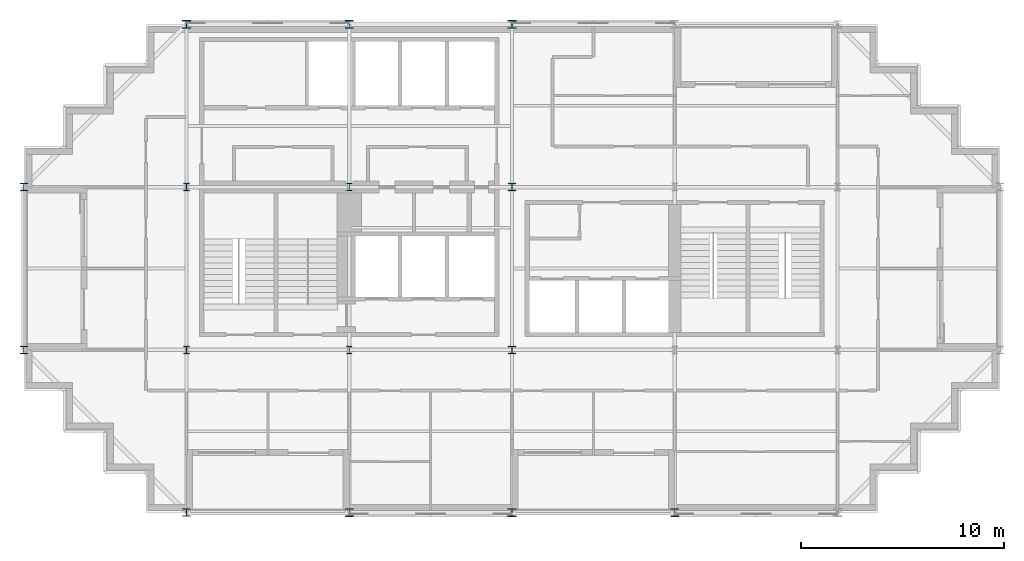
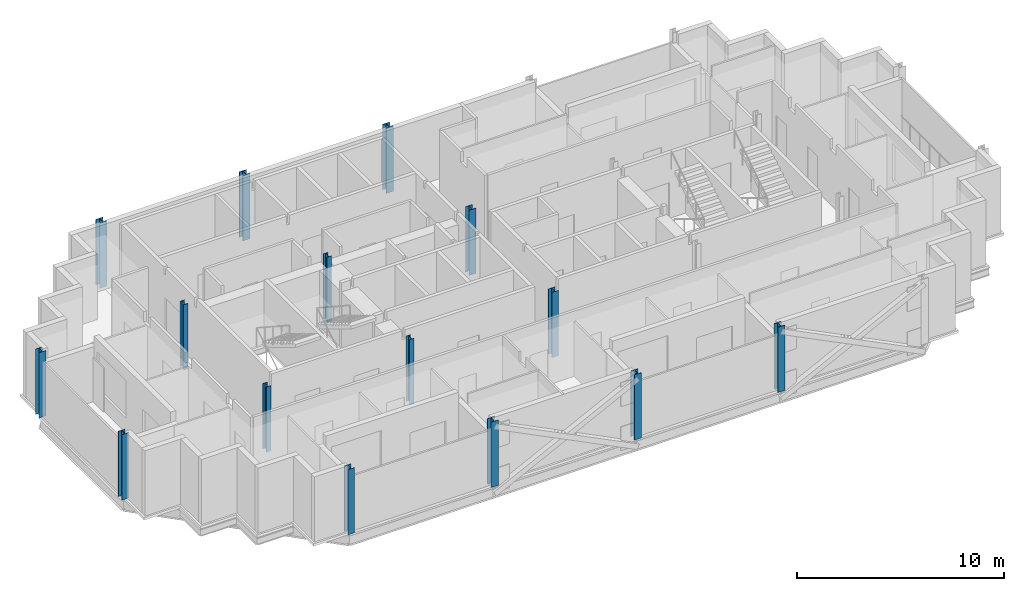
# One storey, part 1 of 9: 15 columns.
"""IFC4 building model written with IfcOpenShell, lengths in metres."""

from ifc_helpers import new_model, si_unit, direction, frame, origin, origin_2d, place, context, subcontext, project, spatial, i_section, extrude, material, material_profile, profile_set, type_object, element, save


model = new_model("IFC4")

# Units and contexts
model_context = context("Model", 3, precision=1e-05, world=origin(), true_north=direction((0.0, 1.0)))
body_context = subcontext(model_context, "Body", "Model", "MODEL_VIEW")
ifc_project = project(units=[si_unit("LENGTHUNIT", "METRE"), si_unit("AREAUNIT", "SQUARE_METRE"), si_unit("VOLUMEUNIT", "CUBIC_METRE"), si_unit("PLANEANGLEUNIT", "RADIAN"), si_unit("MASSUNIT", "GRAM", prefix="KILO")], contexts=[model_context])

# Site, building, storey
site_placement = place(None, origin())
site = spatial("IfcSite", under=ifc_project, at=site_placement, CompositionType="ELEMENT")
building_placement = place(site_placement, origin())
building = spatial("IfcBuilding", under=site, at=building_placement, Name="Immortelle Media Tower", CompositionType="ELEMENT")
storey_placement = place(building_placement, frame((0.0, 0.0, 287.0)))
storey = spatial("IfcBuildingStorey", under=building, at=storey_placement, Name="L63", CompositionType="ELEMENT", Elevation=287.0)

# Columns
ifc_material = material(Name="Steel ASTM A992 Gr 50", Category="steel")
ifc_material_profile_1 = material_profile(ifc_material, i_section(OverallWidth=0.373046875, OverallDepth=0.367919921875, WebThickness=0.014892578125, FlangeThickness=0.02392578125, at=origin_2d()), Name="W14x120")
ifc_profile_set_1 = profile_set([ifc_material_profile_1], Name="Steel ASTM A992 Gr 50")
column_type_1 = type_object("IfcColumnType", Name="W14x120 column", PredefinedType="COLUMN", material=ifc_profile_set_1)
for number, where, z_axis, x_axis, name in (
    (1, (0.0, 8.0, 0.0), (0.0, 0.0, 1.0), (1.0, 0.0, 0.0), "Column 1/B"),
    (2, (0.0, 16.0, 0.0), (0.0, 0.0, 1.0), (1.0, 0.0, 0.0), "Column 1/C"),
    (3, (8.0, 0.0, 0.0), (0.0, 0.0, 1.0), (1.0, 0.0, 0.0), "Column 2/A"),
):
    element("IfcColumn", number, at=place(storey_placement, frame(where, z_axis=z_axis, x_axis=x_axis)), inside=storey, type_object=column_type_1, Name=name, PredefinedType="COLUMN", context=body_context, shape_type="SweptSolid", body=[
        extrude(i_section(OverallWidth=0.373046875, OverallDepth=0.367919921875, WebThickness=0.014892578125, FlangeThickness=0.02392578125, at=origin_2d()), origin(), (0.0, 0.0, 1.0), 3.85009765625),
    ])
ifc_material_profile_2 = material_profile(ifc_material, i_section(OverallWidth=0.39892578125, OverallDepth=0.385986328125, WebThickness=0.02099609375, FlangeThickness=0.032958984375, at=origin_2d()), Name="W14x176")
ifc_profile_set_2 = profile_set([ifc_material_profile_2], Name="Steel ASTM A992 Gr 50")
column_type_2 = type_object("IfcColumnType", Name="W14x176 column", PredefinedType="COLUMN", material=ifc_profile_set_2)
for number, where, z_axis, x_axis, name in (
    (4, (8.0, 24.0, 0.0), (0.0, 0.0, 1.0), (1.0, 0.0, 0.0), "Column 2/D"),
    (5, (16.0, 0.0, 0.0), (0.0, 0.0, 1.0), (1.0, 0.0, 0.0), "Column 3/A"),
    (6, (16.0, 24.0, 0.0), (0.0, 0.0, 1.0), (1.0, 0.0, 0.0), "Column 3/D"),
    (7, (24.0, 0.0, 0.0), (0.0, 0.0, 1.0), (1.0, 0.0, 0.0), "Column 4/A"),
    (8, (24.0, 24.0, 0.0), (0.0, 0.0, 1.0), (1.0, 0.0, 0.0), "Column 4/D"),
    (9, (32.0, 0.0, 0.0), (0.0, 0.0, 1.0), (1.0, 0.0, 0.0), "Column 5/A"),
):
    element("IfcColumn", number, at=place(storey_placement, frame(where, z_axis=z_axis, x_axis=x_axis)), inside=storey, type_object=column_type_2, Name=name, PredefinedType="COLUMN", context=body_context, shape_type="SweptSolid", body=[
        extrude(i_section(OverallWidth=0.39892578125, OverallDepth=0.385986328125, WebThickness=0.02099609375, FlangeThickness=0.032958984375, at=origin_2d()), origin(), (0.0, 0.0, 1.0), 3.85009765625),
    ])
ifc_material_profile_3 = material_profile(ifc_material, i_section(OverallWidth=0.257080078125, OverallDepth=0.363037109375, WebThickness=0.012939453125, FlangeThickness=0.02197265625, at=origin_2d()), Name="W14x82")
ifc_profile_set_3 = profile_set([ifc_material_profile_3], Name="Steel ASTM A992 Gr 50")
column_type_3 = type_object("IfcColumnType", Name="W14x82 column", PredefinedType="COLUMN", material=ifc_profile_set_3)
for number, where, z_axis, x_axis, name in (
    (10, (8.0, 8.0, 0.0), (0.0, 0.0, 1.0), (1.0, 0.0, 0.0), "Column 2/B"),
    (11, (8.0, 16.0, 0.0), (0.0, 0.0, 1.0), (1.0, 0.0, 0.0), "Column 2/C"),
    (12, (16.0, 8.0, 0.0), (0.0, 0.0, 1.0), (1.0, 0.0, 0.0), "Column 3/B"),
    (13, (16.0, 16.0, 0.0), (0.0, 0.0, 1.0), (1.0, 0.0, 0.0), "Column 3/C"),
):
    element("IfcColumn", number, at=place(storey_placement, frame(where, z_axis=z_axis, x_axis=x_axis)), inside=storey, type_object=column_type_3, Name=name, PredefinedType="COLUMN", context=body_context, shape_type="SweptSolid", body=[
        extrude(i_section(OverallWidth=0.257080078125, OverallDepth=0.363037109375, WebThickness=0.012939453125, FlangeThickness=0.02197265625, at=origin_2d()), origin(), (0.0, 0.0, 1.0), 3.85009765625),
    ])
ifc_material_profile_4 = material_profile(ifc_material, i_section(OverallWidth=0.37109375, OverallDepth=0.361083984375, WebThickness=0.011962890625, FlangeThickness=0.02001953125, at=origin_2d()), Name="W14x99")
ifc_profile_set_4 = profile_set([ifc_material_profile_4], Name="Steel ASTM A992 Gr 50")
column_type_4 = type_object("IfcColumnType", Name="W14x99 column", PredefinedType="COLUMN", material=ifc_profile_set_4)
for number, where, z_axis, x_axis, name in (
    (14, (24.0, 8.0, 0.0), (0.0, 0.0, 1.0), (1.0, 0.0, 0.0), "Column 4/B"),
    (15, (24.0, 16.0, 0.0), (0.0, 0.0, 1.0), (1.0, 0.0, 0.0), "Column 4/C"),
):
    element("IfcColumn", number, at=place(storey_placement, frame(where, z_axis=z_axis, x_axis=x_axis)), inside=storey, type_object=column_type_4, Name=name, PredefinedType="COLUMN", context=body_context, shape_type="SweptSolid", body=[
        extrude(i_section(OverallWidth=0.37109375, OverallDepth=0.361083984375, WebThickness=0.011962890625, FlangeThickness=0.02001953125, at=origin_2d()), origin(), (0.0, 0.0, 1.0), 3.85009765625),
    ])

save(model, "model.ifc")
